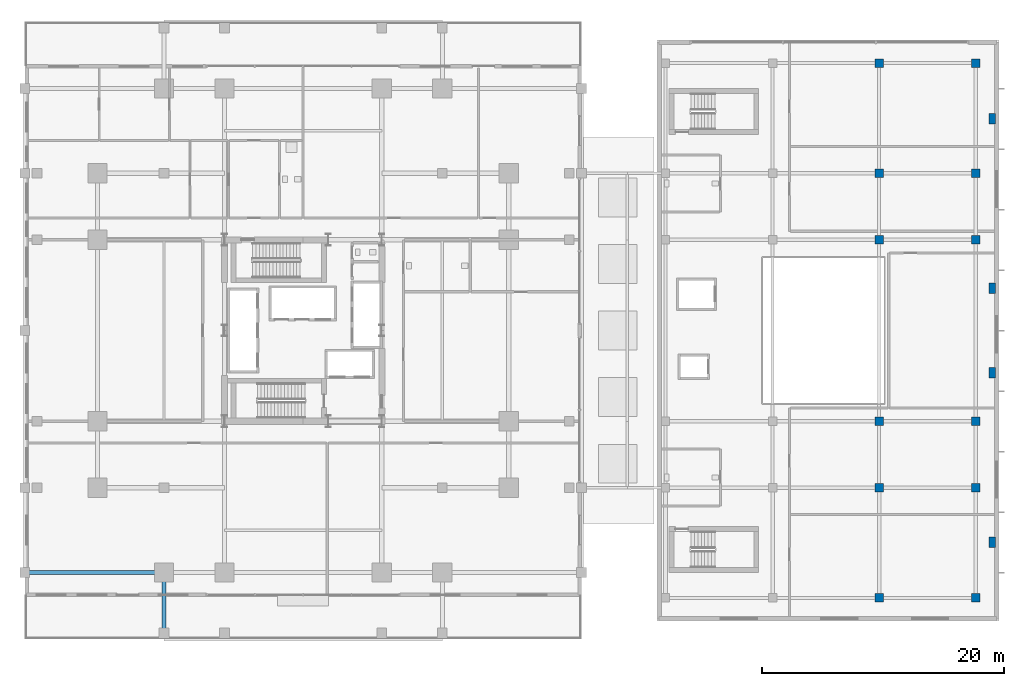
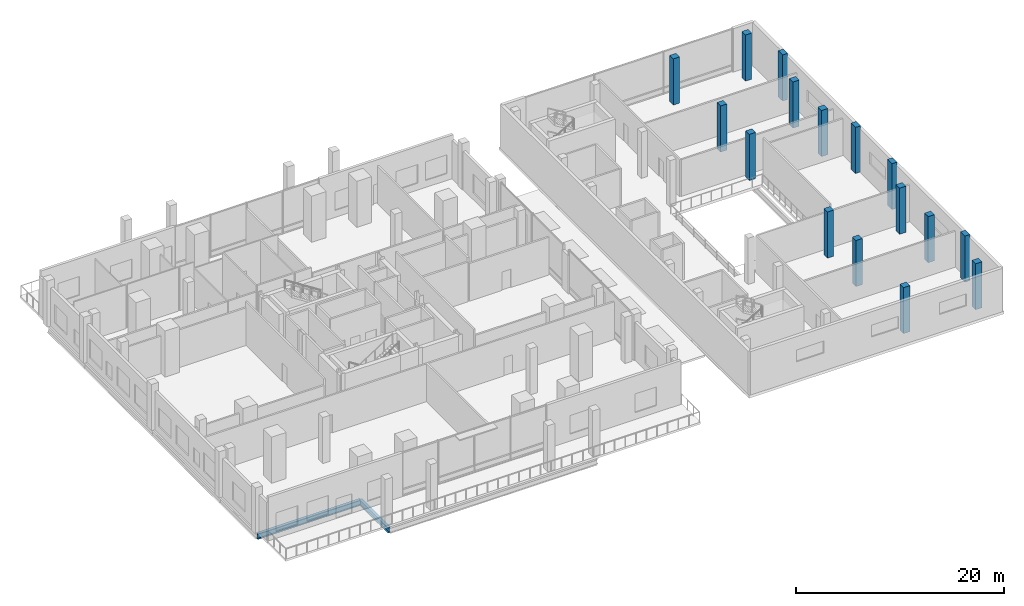
# One storey, part 2 of 36: 16 columns, 2 beams.
"""IFC4 building model written with IfcOpenShell, lengths in metres."""

import ifcopenshell
import ifcopenshell.guid

model = None  # the IFC model being written
_history = None  # IfcOwnerHistory: only IFC2X3 demands one
_inside = {}  # id of a spatial element -> (the spatial element, [elements in it])
_under = {}  # id of a project, library or spatial element -> (it, [spatial elements below it])
_declared = {}  # id of a project -> (the project, [libraries it declares])
_typed = {}  # id of a type object -> (the type object, [elements of that type])
_made_of = {}  # id of a material, layer set ... -> (it, [elements and type objects made of it])


def new_model(schema):
    """Start an empty IFC model of exactly this schema.

    Asked for "IFC4X3", IfcOpenShell would pick the latest addendum, in which some entities
    have other attributes; the version numbers below select the first issue.
    IFC2X3 requires an IfcOwnerHistory on every rooted entity: one is made here for all.
    """
    global model, _history
    if schema == "IFC4X3":
        model = ifcopenshell.file(schema_version=(4, 3, 0, 0))
    else:
        model = ifcopenshell.file(schema=schema)
    _inside.clear()
    _under.clear()
    _declared.clear()
    _typed.clear()
    _made_of.clear()
    _history = None
    if model.schema == "IFC2X3":
        org = make("IfcOrganization", Name="unknown")
        user = make(
            "IfcPersonAndOrganization",
            ThePerson=make("IfcPerson", FamilyName="unknown"),
            TheOrganization=org,
        )
        app = make(
            "IfcApplication",
            ApplicationDeveloper=org,
            Version="unknown",
            ApplicationFullName="unknown",
            ApplicationIdentifier="unknown",
        )
        _history = make(
            "IfcOwnerHistory",
            OwningUser=user,
            OwningApplication=app,
            ChangeAction="ADDED",
            CreationDate=0,
        )
    return model


def make(cls, **values):
    """One entity of the class cls with the attributes given. An attribute that is None is left unset."""
    return model.create_entity(
        cls, **{name: value for name, value in values.items() if value is not None}
    )


def rooted(cls, **values):
    """An entity with a GlobalId (a new one), such as an element, a storey or a relation."""
    return make(cls, GlobalId=ifcopenshell.guid.new(), OwnerHistory=_history, **values)


def si_unit(unit_type, name, prefix=None):
    """IfcSIUnit, for example si_unit("LENGTHUNIT", "METRE", prefix="MILLI")."""
    return make("IfcSIUnit", UnitType=unit_type, Prefix=prefix, Name=name)


def assignment(units):
    """IfcUnitAssignment: the units of a project."""
    return None if units is None else make("IfcUnitAssignment", Units=units)


def point(xyz):
    """IfcCartesianPoint."""
    return None if xyz is None else make("IfcCartesianPoint", Coordinates=xyz)


def direction(xyz):
    """IfcDirection."""
    return None if xyz is None else make("IfcDirection", DirectionRatios=xyz)


def frame(location, z_axis=None, x_axis=None):
    """IfcAxis2Placement3D, a coordinate frame: its origin and axes. An axis left out is left unset."""
    return make(
        "IfcAxis2Placement3D",
        Location=point(location),
        Axis=direction(z_axis),
        RefDirection=direction(x_axis),
    )


def frame_2d(location, x_axis=None):
    """IfcAxis2Placement2D, a coordinate frame in the plane: its origin and x axis."""
    return make(
        "IfcAxis2Placement2D", Location=point(location), RefDirection=direction(x_axis)
    )


def origin():
    """The frame at (0, 0, 0) with its axes left unset."""
    return frame((0.0, 0.0, 0.0))


def origin_2d():
    """The frame at (0, 0) in the plane with its x axis left unset."""
    return frame_2d((0.0, 0.0))


def place(relative_to, where):
    """IfcLocalPlacement: puts the frame where relative to a parent placement (None: the world)."""
    return make(
        "IfcLocalPlacement", PlacementRelTo=relative_to, RelativePlacement=where
    )


def context(
    kind, dimensions, precision=None, world=None, true_north=None, identifier=None
):
    """IfcGeometricRepresentationContext, for example the 3D "Model" context."""
    return make(
        "IfcGeometricRepresentationContext",
        ContextIdentifier=identifier,
        ContextType=kind,
        CoordinateSpaceDimension=dimensions,
        Precision=precision,
        WorldCoordinateSystem=world,
        TrueNorth=true_north,
    )


def subcontext(parent, identifier, kind, view, scale=None):
    """IfcGeometricRepresentationSubContext, for example "Body" below "Model"."""
    return make(
        "IfcGeometricRepresentationSubContext",
        ContextIdentifier=identifier,
        ContextType=kind,
        ParentContext=parent,
        TargetScale=scale,
        TargetView=view,
    )


def project(units=None, contexts=None):
    """IfcProject with its units and contexts."""
    return rooted(
        "IfcProject",
        Name="project",
        RepresentationContexts=contexts,
        UnitsInContext=assignment(units),
    )


def spatial(cls, under=None, at=None, **own):
    """A site, building, storey or space (cls), placed at a placement, below another one or the project."""
    s = rooted(cls, ObjectPlacement=at, **own)
    if under is not None:
        _under.setdefault(under.id(), (under, []))[1].append(s)
    return s


def profile(cls, at=None, kind="AREA", **sizes):
    """A parametric profile (cls). Its sizes go by their IFC names, for example OverallWidth=200.0."""
    return make(cls, ProfileType=kind, Position=at, **sizes)


def rectangle(**sizes):
    """IfcRectangleProfileDef."""
    return profile("IfcRectangleProfileDef", **sizes)


def i_section(**sizes):
    """IfcIShapeProfileDef."""
    return profile("IfcIShapeProfileDef", **sizes)


def extrude(swept, where, along, depth):
    """IfcExtrudedAreaSolid: the profile swept, set in the frame where, extruded along a direction by depth."""
    return make(
        "IfcExtrudedAreaSolid",
        SweptArea=swept,
        Position=where,
        ExtrudedDirection=direction(along),
        Depth=depth,
    )


def shape(context_of_items, identifier, shape_type, items):
    """IfcShapeRepresentation: the items that make up one representation, for example the "Body"."""
    return make(
        "IfcShapeRepresentation",
        ContextOfItems=context_of_items,
        RepresentationIdentifier=identifier,
        RepresentationType=shape_type,
        Items=items,
    )


def material(Name=None, Category=None):
    """IfcMaterial."""
    return make("IfcMaterial", Name=Name, Category=Category)


def material_profile(
    of_material, cross_section, Name=None, Category=None, Priority=None
):
    """IfcMaterialProfile: a cross section and its material."""
    return make(
        "IfcMaterialProfile",
        Name=Name,
        Material=of_material,
        Profile=cross_section,
        Priority=Priority,
        Category=Category,
    )


def profile_set(profiles, Name=None, composite=None):
    """IfcMaterialProfileSet."""
    return make(
        "IfcMaterialProfileSet",
        Name=Name,
        MaterialProfiles=profiles,
        CompositeProfile=composite,
    )


def made_of(thing, what):
    """Note that an element or type object is made of a material, layer set ...; save() writes the relation."""
    if what is not None:
        _made_of.setdefault(what.id(), (what, []))[1].append(thing)
    return thing


def type_object(cls, material=None, **own):
    """A type object (cls), such as IfcWallType, which elements share."""
    return made_of(rooted(cls, **own), material)


def element(
    cls,
    number,
    at=None,
    inside=None,
    cuts=None,
    type_object=None,
    material=None,
    context=None,
    identifier="Body",
    shape_type=None,
    held_by="IfcProductDefinitionShape",
    body=None,
    shapes=None,
    **own,
):
    """One element of the class cls, such as IfcWall. Its Tag is "e" and its number.

    at: its placement. inside: the storey or other place that contains it. cuts: it is an
    opening in that element (IfcRelVoidsElement). A single representation is given by context,
    identifier, shape_type and body (its items); several are given by shapes. held_by: the class
    of the entity that holds the representations. save() writes the other relations.
    """
    e = rooted(cls, Tag="e%d" % number, ObjectPlacement=at, **own)
    if body is not None:
        shapes = [shape(context, identifier, shape_type, body)]
    if shapes is not None:
        e.Representation = make(held_by, Representations=shapes)
    if inside is not None:
        _inside.setdefault(inside.id(), (inside, []))[1].append(e)
    if cuts is not None:
        rooted(
            "IfcRelVoidsElement", RelatingBuildingElement=cuts, RelatedOpeningElement=e
        )
    if type_object is not None:
        _typed.setdefault(type_object.id(), (type_object, []))[1].append(e)
    return made_of(e, material)


def aggregate(whole, parts):
    """IfcRelAggregates: a whole, such as a stair, and the parts it consists of."""
    return rooted("IfcRelAggregates", RelatingObject=whole, RelatedObjects=parts)


def save(model, path):
    """Write the relations noted so far, then the file.

    IfcRelAggregates (storeys below a building ...), IfcRelContainedInSpatialStructure (elements
    in a storey), IfcRelDefinesByType, IfcRelAssociatesMaterial and IfcRelDeclares: one each for
    every whole, place, type object, material and project.
    """
    for whole, parts in _under.values():
        aggregate(whole, parts)
    for where, things in _inside.values():
        rooted(
            "IfcRelContainedInSpatialStructure",
            RelatedElements=things,
            RelatingStructure=where,
        )
    for kind, things in _typed.values():
        rooted("IfcRelDefinesByType", RelatedObjects=things, RelatingType=kind)
    for what, things in _made_of.values():
        rooted("IfcRelAssociatesMaterial", RelatedObjects=things, RelatingMaterial=what)
    for by, libraries in _declared.values():
        rooted("IfcRelDeclares", RelatingContext=by, RelatedDefinitions=libraries)
    model.write(path)


model = new_model("IFC4")

# Units and contexts
model_context = context("Model", 3, precision=1e-05, world=origin(), true_north=direction((0.0, 1.0)))
body_context = subcontext(model_context, "Body", "Model", "MODEL_VIEW")
ifc_project = project(units=[si_unit("LENGTHUNIT", "METRE"), si_unit("AREAUNIT", "SQUARE_METRE"), si_unit("VOLUMEUNIT", "CUBIC_METRE"), si_unit("PLANEANGLEUNIT", "RADIAN"), si_unit("MASSUNIT", "GRAM", prefix="KILO")], contexts=[model_context])

# Site, building, storey
site_placement = place(None, origin())
site = spatial("IfcSite", under=ifc_project, at=site_placement, CompositionType="ELEMENT")
building_placement = place(site_placement, origin())
building = spatial("IfcBuilding", under=site, at=building_placement, Name="Barlavira Tower and Art Museum", CompositionType="ELEMENT")
storey_placement = place(building_placement, frame((0.0, 0.0, 11.39990234375)))
storey = spatial("IfcBuildingStorey", under=building, at=storey_placement, Name="L02", CompositionType="ELEMENT", Elevation=11.39990234375)

# Columns
ifc_material_1 = material(Name="Concrete C50", Category="concrete")
ifc_material_profile_1 = material_profile(ifc_material_1, rectangle(XDim=0.550048828125, YDim=0.85009765625, at=origin_2d()), Name="RC-PIL 550x850")
ifc_profile_set_1 = profile_set([ifc_material_profile_1], Name="Concrete C50")
column_type_1 = type_object("IfcColumnType", Name="Museum Coastal Facade Pilaster 550x850 Concrete C50", PredefinedType="PILASTER", material=ifc_profile_set_1)
for number, where, z_axis, x_axis, name in (
    (1, (56.949951171875, -17.5, 0.0), (0.0, 0.0, 1.0), (1.0, 0.0, 0.0), "L02 Museum Facade Pilaster 1"),
    (2, (56.949951171875, -3.5, 0.0), (0.0, 0.0, 1.0), (1.0, 0.0, 0.0), "L02 Museum Facade Pilaster 2"),
    (3, (56.949951171875, 3.5, 0.0), (0.0, 0.0, 1.0), (1.0, 0.0, 0.0), "L02 Museum Facade Pilaster 3"),
    (4, (56.949951171875, 17.5, 0.0), (0.0, 0.0, 1.0), (1.0, 0.0, 0.0), "L02 Museum Facade Pilaster 4"),
):
    element("IfcColumn", number, at=place(storey_placement, frame(where, z_axis=z_axis, x_axis=x_axis)), inside=storey, type_object=column_type_1, Name=name, PredefinedType="PILASTER", context=body_context, shape_type="SweptSolid", body=[
        extrude(rectangle(XDim=0.550048828125, YDim=0.85009765625, at=origin_2d()), origin(), (0.0, 0.0, 1.0), 5.400146484375),
    ])
ifc_material_profile_2 = material_profile(ifc_material_1, rectangle(XDim=0.699951171875, YDim=0.699951171875, at=origin_2d()), Name="RC-COL 700x700")
ifc_profile_set_2 = profile_set([ifc_material_profile_2], Name="Concrete C50")
column_type_2 = type_object("IfcColumnType", Name="Museum Frame Column 700x700 Concrete C50", PredefinedType="COLUMN", material=ifc_profile_set_2)
for number, where, z_axis, x_axis, name in (
    (5, (47.60009765625, -22.10009765625, 0.0), (0.0, 0.0, 1.0), (1.0, 0.0, 0.0), "L02 Museum Column 3-1"),
    (6, (47.60009765625, -13.0, 0.0), (0.0, 0.0, 1.0), (1.0, 0.0, 0.0), "L02 Museum Column 3-2"),
    (7, (47.60009765625, -7.5, 0.0), (0.0, 0.0, 1.0), (1.0, 0.0, 0.0), "L02 Museum Column 3-3"),
    (8, (47.60009765625, 7.5, 0.0), (0.0, 0.0, 1.0), (1.0, 0.0, 0.0), "L02 Museum Column 3-4"),
    (9, (47.60009765625, 13.0, 0.0), (0.0, 0.0, 1.0), (1.0, 0.0, 0.0), "L02 Museum Column 3-5"),
    (10, (47.60009765625, 22.10009765625, 0.0), (0.0, 0.0, 1.0), (1.0, 0.0, 0.0), "L02 Museum Column 3-6"),
    (11, (55.60009765625, -22.10009765625, 0.0), (0.0, 0.0, 1.0), (1.0, 0.0, 0.0), "L02 Museum Column 4-1"),
    (12, (55.60009765625, -13.0, 0.0), (0.0, 0.0, 1.0), (1.0, 0.0, 0.0), "L02 Museum Column 4-2"),
    (13, (55.60009765625, -7.5, 0.0), (0.0, 0.0, 1.0), (1.0, 0.0, 0.0), "L02 Museum Column 4-3"),
    (14, (55.60009765625, 7.5, 0.0), (0.0, 0.0, 1.0), (1.0, 0.0, 0.0), "L02 Museum Column 4-4"),
    (15, (55.60009765625, 13.0, 0.0), (0.0, 0.0, 1.0), (1.0, 0.0, 0.0), "L02 Museum Column 4-5"),
    (16, (55.60009765625, 22.10009765625, 0.0), (0.0, 0.0, 1.0), (1.0, 0.0, 0.0), "L02 Museum Column 4-6"),
):
    element("IfcColumn", number, at=place(storey_placement, frame(where, z_axis=z_axis, x_axis=x_axis)), inside=storey, type_object=column_type_2, Name=name, PredefinedType="COLUMN", context=body_context, shape_type="SweptSolid", body=[
        extrude(rectangle(XDim=0.699951171875, YDim=0.699951171875, at=origin_2d()), origin(), (0.0, 0.0, 1.0), 5.400146484375),
    ])

# Beams
ifc_material_2 = material(Name="Steel S355", Category="steel")
ifc_material_profile_3 = material_profile(ifc_material_2, i_section(OverallWidth=0.327880859375, OverallDepth=0.62890625, WebThickness=0.013916015625, FlangeThickness=0.021484375, at=origin_2d()), Name="W610x174.0")
ifc_profile_set_3 = profile_set([ifc_material_profile_3], Name="Steel S355")
beam_type = type_object("IfcBeamType", Name="Perimeter Spandrel Edge Beam W610x174 Steel S355", PredefinedType="SPANDREL", material=ifc_profile_set_3)
beam_1_placement = place(storey_placement, frame((-23.0, -20.0, -0.594482421875), z_axis=(1.0, 0.0, 0.0), x_axis=(0.0, 1.0, 0.0)))
element("IfcBeam", 17, at=beam_1_placement, inside=storey, type_object=beam_type, Name="L02 Podium Spandrel PS1", PredefinedType="SPANDREL", context=body_context, shape_type="SweptSolid", body=[
    extrude(i_section(OverallWidth=0.327880859375, OverallDepth=0.62890625, WebThickness=0.013916015625, FlangeThickness=0.021484375, at=origin_2d()), origin(), (0.0, 0.0, 1.0), 11.5),
])
beam_2_placement = place(storey_placement, frame((-11.5, -25.5, -0.594482421875), z_axis=(0.0, 1.0, 0.0), x_axis=(-1.0, 0.0, 0.0)))
element("IfcBeam", 18, at=beam_2_placement, inside=storey, type_object=beam_type, Name="L02 SW Cascade Spandrel", PredefinedType="SPANDREL", context=body_context, shape_type="SweptSolid", body=[
    extrude(i_section(OverallWidth=0.327880859375, OverallDepth=0.62890625, WebThickness=0.013916015625, FlangeThickness=0.021484375, at=origin_2d()), origin(), (0.0, 0.0, 1.0), 5.5),
])

save(model, "model.ifc")
